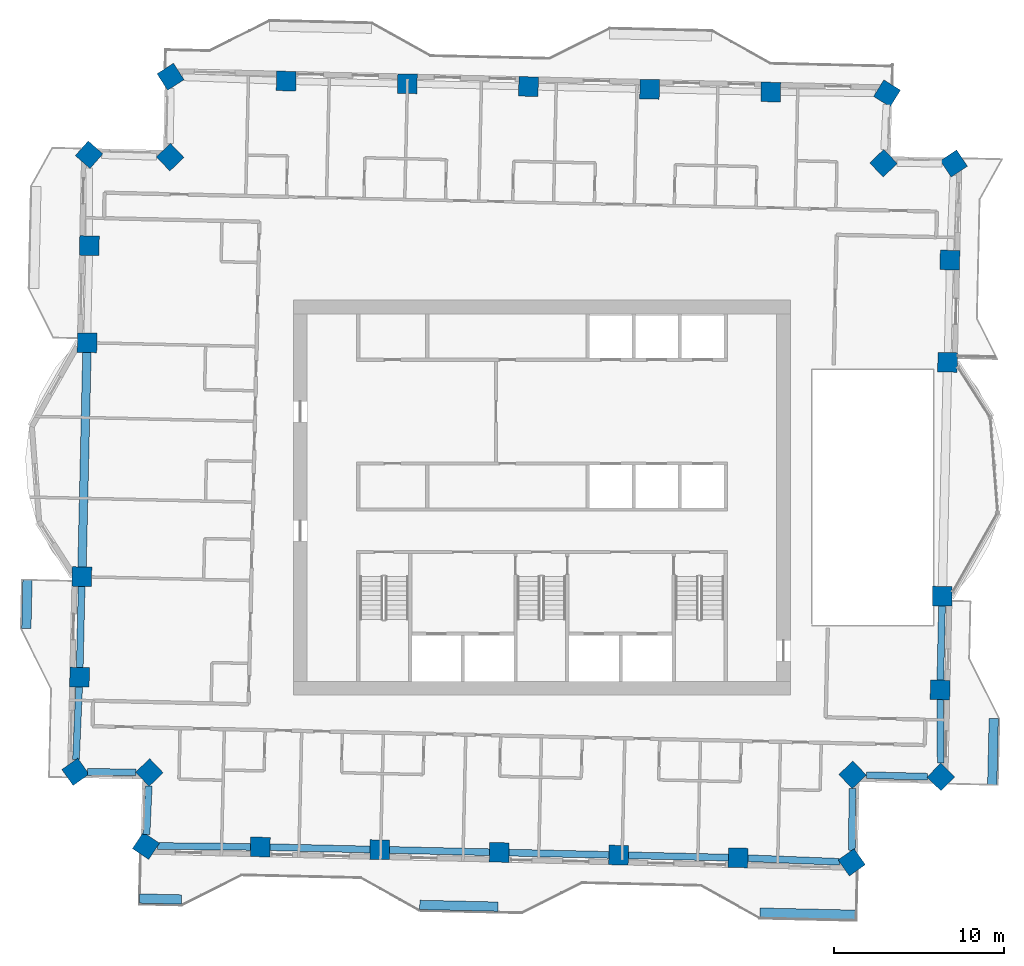
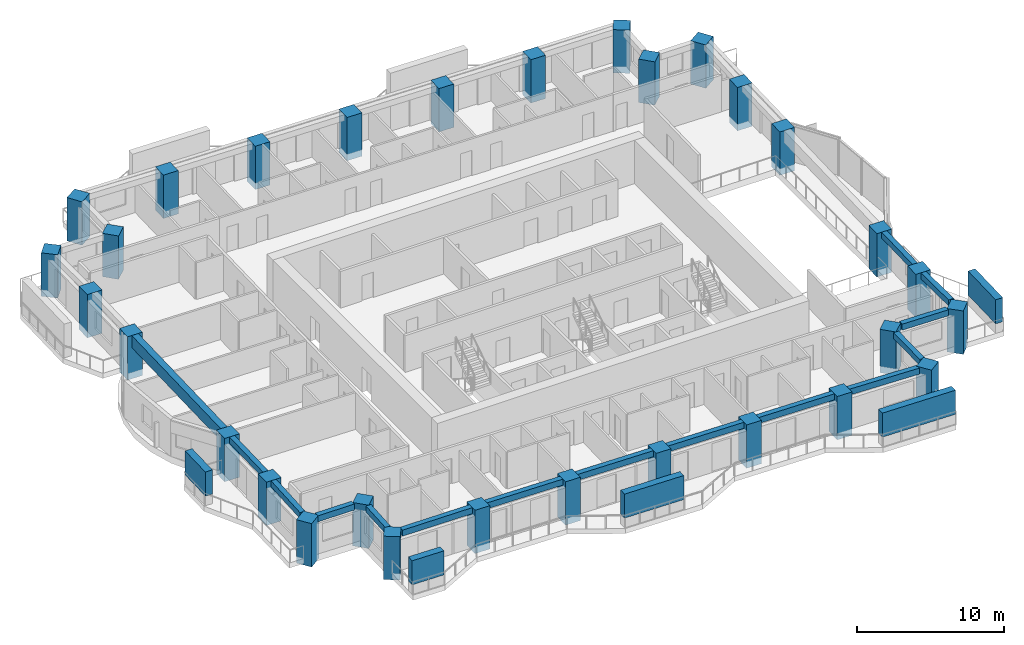
# One storey, part 1 of 16: 30 columns, 15 beams, 5 members.
"""IFC4 building model written with IfcOpenShell, lengths in metres."""

from ifc_helpers import new_model, si_unit, direction, frame, origin, origin_2d, place, context, subcontext, project, spatial, rectangle, extrude, material, material_profile, profile_set, type_object, element, save


model = new_model("IFC4")

# Units and contexts
model_context = context("Model", 3, precision=1e-05, world=origin(), true_north=direction((0.0, 1.0)))
body_context = subcontext(model_context, "Body", "Model", "MODEL_VIEW")
ifc_project = project(units=[si_unit("LENGTHUNIT", "METRE"), si_unit("AREAUNIT", "SQUARE_METRE"), si_unit("VOLUMEUNIT", "CUBIC_METRE"), si_unit("PLANEANGLEUNIT", "RADIAN"), si_unit("MASSUNIT", "GRAM", prefix="KILO")], contexts=[model_context])

# Site, building, storey
site_placement = place(None, origin())
site = spatial("IfcSite", under=ifc_project, at=site_placement, CompositionType="ELEMENT")
building_placement = place(site_placement, origin())
building = spatial("IfcBuilding", under=site, at=building_placement, Name="Mangrove Gate Tower", CompositionType="ELEMENT")
storey_placement = place(building_placement, frame((0.0, 0.0, 201.5)))
storey = spatial("IfcBuildingStorey", under=building, at=storey_placement, Name="L51", CompositionType="ELEMENT", Elevation=201.5)

# Columns
ifc_material_1 = material(Name="Concrete C60/75", Category="concrete")
ifc_material_profile_1 = material_profile(ifc_material_1, rectangle(XDim=1.14990234375, YDim=1.14990234375, at=origin_2d()))
ifc_profile_set_1 = profile_set([ifc_material_profile_1], Name="Concrete C60/75")
column_type = type_object("IfcColumnType", Name="Column RC 1150x1150 C60/75", PredefinedType="COLUMN", material=ifc_profile_set_1)
for number, where, z_axis, x_axis, name in (
    (1, (-27.046142578125, -4.650146484375, -0.550048828125), (0.0, 0.0, 1.0), (-0.02268213383, -0.999742727308, 0.0), "Column L51 W05"),
    (2, (-27.18017578125, -10.56005859375, -0.550048828125), (0.0, 0.0, 1.0), (-0.022750219004, -0.999741180274, 0.0), "Column L51 W06"),
    (3, (-27.4208984375, -16.125244140625, -0.550048828125), (0.0, 0.0, 1.0), (0.578578159923, -0.815626944663, 0.0), "Column L51 W07"),
    (4, (-23.0751953125, -16.16064453125, -0.550048828125), (0.0, 0.0, 1.0), (0.690854032309, -0.722994264183, 0.0), "Column L51 W08"),
    (5, (-23.27490234375, -20.476806640625, -0.550048828125), (0.0, 0.0, 1.0), (0.835228982997, -0.549902305834, 0.0), "Column L51 S01"),
    (6, (-16.554931640625, -20.541259765625, -0.550048828125), (0.0, 0.0, 1.0), (0.999742166043, -0.022706858776, 0.0), "Column L51 S02"),
    (7, (-9.532958984375, -20.701171875, -0.550048828125), (0.0, 0.0, 1.0), (0.999742129581, -0.022708464065, 0.0), "Column L51 S03"),
    (8, (-2.510986328125, -20.860107421875, -0.550048828125), (0.0, 0.0, 1.0), (0.999743742918, -0.022637325283, 0.0), "Column L51 S04"),
    (9, (4.510986328125, -21.01904296875, -0.550048828125), (0.0, 0.0, 1.0), (0.999742129581, -0.022708464065, 0.0), "Column L51 S05"),
    (10, (11.532958984375, -21.17919921875, -0.550048828125), (0.0, 0.0, 1.0), (0.999742166043, -0.022706858776, 0.0), "Column L51 S06"),
    (11, (18.21142578125, -21.443115234375, -0.550048828125), (0.0, 0.0, 1.0), (0.817005906944, 0.576629298612, 0.0), "Column L51 S07"),
    (12, (18.263671875, -16.29833984375, -0.550048828125), (0.0, 0.0, 1.0), (0.722904645442, 0.690947808158, 0.0), "Column L51 E01"),
    (13, (23.44970703125, -16.427978515625, -0.550048828125), (0.0, 0.0, 1.0), (0.702472771276, 0.711710619294, 0.0), "Column L51 E02"),
    (14, (23.4091796875, -11.307861328125, -0.550048828125), (0.0, 0.0, 1.0), (0.022678138054, 0.999742817956, 0.0), "Column L51 E03"),
    (15, (23.5341796875, -5.7978515625, -0.550048828125), (0.0, 0.0, 1.0), (0.022686024913, 0.999742639019, 0.0), "Column L51 E04"),
    (16, (23.84619140625, 7.949951171875, -0.550048828125), (0.0, 0.0, 1.0), (0.022719107826, 0.999741887759, 0.0), "Column L51 E05"),
    (17, (23.983154296875, 13.9599609375, -0.550048828125), (0.0, 0.0, 1.0), (0.022704398496, 0.99974222192, 0.0), "Column L51 E06"),
    (18, (24.21533203125, 19.639404296875, -0.550048828125), (0.0, 0.0, 1.0), (-0.553976303186, 0.832532435109, 0.0), "Column L51 E07"),
    (19, (20.079345703125, 19.65576171875, -0.550048828125), (0.0, 0.0, 1.0), (-0.69093208713, 0.722919671176, 0.0), "Column L51 E08"),
    (20, (20.286865234375, 23.763427734375, -0.550048828125), (0.0, 0.0, 1.0), (-0.849671924518, 0.527311692157, 0.0), "Column L51 N01"),
    (21, (13.454833984375, 23.839111328125, -0.550048828125), (0.0, 0.0, 1.0), (-0.999741400599, 0.022740534932, 0.0), "Column L51 N02"),
    (22, (6.3330078125, 24.001220703125, -0.550048828125), (0.0, 0.0, 1.0), (-0.999742993665, 0.022670390785, 0.0), "Column L51 N03"),
    (23, (-0.7890625, 24.162109375, -0.550048828125), (0.0, 0.0, 1.0), (-0.999742993665, 0.022670390785, 0.0), "Column L51 N04"),
    (24, (-7.9111328125, 24.32421875, -0.550048828125), (0.0, 0.0, 1.0), (-0.999742993665, 0.022670390785, 0.0), "Column L51 N05"),
    (25, (-15.032958984375, 24.485107421875, -0.550048828125), (0.0, 0.0, 1.0), (-0.999742993665, 0.022670390785, 0.0), "Column L51 N06"),
    (26, (-21.83154296875, 24.738037109375, -0.550048828125), (0.0, 0.0, 1.0), (-0.841786903105, -0.539809975603, 0.0), "Column L51 N07"),
    (27, (-21.853759765625, 20.00732421875, -0.550048828125), (0.0, 0.0, 1.0), (-0.722980880026, -0.690868038859, 0.0), "Column L51 W01"),
    (28, (-26.618408203125, 20.152099609375, -0.550048828125), (0.0, 0.0, 1.0), (-0.660570488369, -0.750764030769, 0.0), "Column L51 W02"),
    (29, (-26.605224609375, 14.807861328125, -0.550048828125), (0.0, 0.0, 1.0), (-0.022671699445, -0.999742963988, 0.0), "Column L51 W03"),
    (30, (-26.734130859375, 9.097900390625, -0.550048828125), (0.0, 0.0, 1.0), (-0.022658386004, -0.999743265816, 0.0), "Column L51 W04"),
):
    element("IfcColumn", number, at=place(storey_placement, frame(where, z_axis=z_axis, x_axis=x_axis)), inside=storey, type_object=column_type, Name=name, PredefinedType="COLUMN", context=body_context, shape_type="SweptSolid", body=[
        extrude(rectangle(XDim=1.14990234375, YDim=1.14990234375, at=origin_2d()), origin(), (0.0, 0.0, 1.0), 3.60009765625),
    ])

# Members
ifc_material_2 = material(Name="Planting on aluminium trellis", Category="aluminium")
ifc_material_profile_2 = material_profile(ifc_material_2, rectangle(XDim=0.550048828125, YDim=2.0, at=origin_2d()))
ifc_profile_set_2 = profile_set([ifc_material_profile_2], Name="Planting on aluminium trellis")
member_type = type_object("IfcMemberType", Name="Balcony greenery screen 550x2000", PredefinedType="USERDEFINED", material=ifc_profile_set_2)
member_1_placement = place(storey_placement, frame((26.47412109375, -16.89208984375, 1.800048828125), z_axis=(0.022535131088, 0.999746051689, 0.0), x_axis=(-0.999746051689, 0.022535131088, 0.0)))
element("IfcMember", 31, at=member_1_placement, inside=storey, type_object=member_type, Name="GREEN SCREEN L51 E0.1", ObjectType="PLANTING", PredefinedType="USERDEFINED", context=body_context, shape_type="SweptSolid", body=[
    extrude(rectangle(XDim=0.550048828125, YDim=2.0, at=origin_2d()), origin(), (0.0, 0.0, 1.0), 3.900146484375),
])
member_2_placement = place(storey_placement, frame((-30.306884765625, -7.700927734375, 1.800048828125), z_axis=(0.022929749512, 0.99973707873, 0.0), x_axis=(-0.99973707873, 0.022929749512, 0.0)))
element("IfcMember", 32, at=member_2_placement, inside=storey, type_object=member_type, Name="GREEN SCREEN L51 W1.1", ObjectType="PLANTING", PredefinedType="USERDEFINED", context=body_context, shape_type="SweptSolid", body=[
    extrude(rectangle(XDim=0.550048828125, YDim=2.0, at=origin_2d()), origin(), (0.0, 0.0, 1.0), 2.874755859375),
])
member_3_placement = place(storey_placement, frame((-23.64990234375, -23.571044921875, 1.800048828125), z_axis=(0.999744125264, -0.022620433227, 0.0), x_axis=(0.022620433227, 0.999744125264, 0.0)))
element("IfcMember", 33, at=member_3_placement, inside=storey, type_object=member_type, Name="GREEN SCREEN L51 S0.1", ObjectType="PLANTING", PredefinedType="USERDEFINED", context=body_context, shape_type="SweptSolid", body=[
    extrude(rectangle(XDim=0.550048828125, YDim=2.0, at=origin_2d()), origin(), (0.0, 0.0, 1.0), 2.4716796875),
])
member_4_placement = place(storey_placement, frame((-7.181884765625, -23.945068359375, 1.800048828125), z_axis=(0.999744268886, -0.022614084774, 0.0), x_axis=(0.022614084774, 0.999744268886, 0.0)))
element("IfcMember", 34, at=member_4_placement, inside=storey, type_object=member_type, Name="GREEN SCREEN L51 S0.2", ObjectType="PLANTING", PredefinedType="USERDEFINED", context=body_context, shape_type="SweptSolid", body=[
    extrude(rectangle(XDim=0.550048828125, YDim=2.0, at=origin_2d()), origin(), (0.0, 0.0, 1.0), 4.59912109375),
])
member_5_placement = place(storey_placement, frame((12.81201171875, -24.39892578125, 1.800048828125), z_axis=(0.999744671896, -0.022596261096, 0.0), x_axis=(0.022596261096, 0.999744671896, 0.0)))
element("IfcMember", 35, at=member_5_placement, inside=storey, type_object=member_type, Name="GREEN SCREEN L51 S1.1", ObjectType="PLANTING", PredefinedType="USERDEFINED", context=body_context, shape_type="SweptSolid", body=[
    extrude(rectangle(XDim=0.550048828125, YDim=2.0, at=origin_2d()), origin(), (0.0, 0.0, 1.0), 5.67236328125),
])

# Beams
ifc_material_3 = material(Name="Concrete C50/60", Category="concrete")
ifc_material_profile_3 = material_profile(ifc_material_3, rectangle(XDim=0.39990234375, YDim=0.5, at=origin_2d()))
ifc_profile_set_3 = profile_set([ifc_material_profile_3], Name="Concrete C50/60")
beam_type_1 = type_object("IfcBeamType", Name="Edge beam RC 400x500 C50/60", PredefinedType="BEAM", material=ifc_profile_set_3)
beam_1_placement = place(storey_placement, frame((-27.05908203125, -5.224853515625, 2.800048828125), z_axis=(-0.022714417043, -0.999741994346, 0.0), x_axis=(0.999741994346, -0.022714417043, 0.0)))
element("IfcBeam", 36, at=beam_1_placement, inside=storey, type_object=beam_type_1, Name="Edge beam L51 00", PredefinedType="BEAM", context=body_context, shape_type="SweptSolid", body=[
    extrude(rectangle(XDim=0.39990234375, YDim=0.5, at=origin_2d()), origin(), (0.0, 0.0, 1.0), 4.761474609375),
])
beam_2_placement = place(storey_placement, frame((-27.205078125, -11.134765625, 2.800048828125), z_axis=(-0.043253492275, -0.999064129776, 0.0), x_axis=(0.999064129776, -0.043253492275, 0.0)))
element("IfcBeam", 37, at=beam_2_placement, inside=storey, type_object=beam_type_1, Name="Edge beam L51 01", PredefinedType="BEAM", context=body_context, shape_type="SweptSolid", body=[
    extrude(rectangle(XDim=0.39990234375, YDim=0.5, at=origin_2d()), origin(), (0.0, 0.0, 1.0), 4.26708984375),
])
beam_3_placement = place(storey_placement, frame((-26.7119140625, -16.131103515625, 2.800048828125), z_axis=(0.999966541492, -0.008180213678, 0.0), x_axis=(0.008180213678, 0.999966541492, 0.0)))
element("IfcBeam", 38, at=beam_3_placement, inside=storey, type_object=beam_type_1, Name="Edge beam L51 02", PredefinedType="BEAM", context=body_context, shape_type="SweptSolid", body=[
    extrude(rectangle(XDim=0.39990234375, YDim=0.5, at=origin_2d()), origin(), (0.0, 0.0, 1.0), 2.835205078125),
])
beam_4_placement = place(storey_placement, frame((-23.112060546875, -16.95458984375, 2.800048828125), z_axis=(-0.046144122159, -0.998934792662, 0.0), x_axis=(0.998934792662, -0.046144122159, 0.0)))
element("IfcBeam", 39, at=beam_4_placement, inside=storey, type_object=beam_type_1, Name="Edge beam L51 03", PredefinedType="BEAM", context=body_context, shape_type="SweptSolid", body=[
    extrude(rectangle(XDim=0.39990234375, YDim=0.5, at=origin_2d()), origin(), (0.0, 0.0, 1.0), 2.85693359375),
])
beam_5_placement = place(storey_placement, frame((-22.590576171875, -20.4833984375, 2.800048828125), z_axis=(0.99995423302, -0.009567228769, 0.0), x_axis=(0.009567228769, 0.99995423302, 0.0)))
element("IfcBeam", 40, at=beam_5_placement, inside=storey, type_object=beam_type_1, Name="Edge beam L51 04", PredefinedType="BEAM", context=body_context, shape_type="SweptSolid", body=[
    extrude(rectangle(XDim=0.39990234375, YDim=0.5, at=origin_2d()), origin(), (0.0, 0.0, 1.0), 5.4609375),
])
for number, where, z_axis, x_axis, name in (
    (41, (-15.97998046875, -20.55419921875, 2.800048828125), (0.999740546409, -0.022778056687, 0.0), (0.022778056687, 0.999740546409, 0.0), "Edge beam L51 05"),
    (42, (-8.9580078125, -20.714111328125, 2.800048828125), (0.999743378275, -0.022653423464, 0.0), (0.022653423464, 0.999743378275, 0.0), "Edge beam L51 06"),
):
    element("IfcBeam", number, at=place(storey_placement, frame(where, z_axis=z_axis, x_axis=x_axis)), inside=storey, type_object=beam_type_1, Name=name, PredefinedType="BEAM", context=body_context, shape_type="SweptSolid", body=[
        extrude(rectangle(XDim=0.39990234375, YDim=0.5, at=origin_2d()), origin(), (0.0, 0.0, 1.0), 5.87353515625),
    ])
for number, where, z_axis, x_axis, name in (
    (43, (-1.93603515625, -20.873046875, 2.800048828125), (0.999743399605, -0.022652482135, 0.0), (0.022652482135, 0.999743399605, 0.0), "Edge beam L51 07"),
    (44, (5.0859375, -21.0322265625, 2.800048828125), (0.999740567973, -0.022777110184, 0.0), (0.022777110184, 0.999740567973, 0.0), "Edge beam L51 08"),
):
    element("IfcBeam", number, at=place(storey_placement, frame(where, z_axis=z_axis, x_axis=x_axis)), inside=storey, type_object=beam_type_1, Name=name, PredefinedType="BEAM", context=body_context, shape_type="SweptSolid", body=[
        extrude(rectangle(XDim=0.39990234375, YDim=0.5, at=origin_2d()), origin(), (0.0, 0.0, 1.0), 5.873779296875),
    ])
beam_6_placement = place(storey_placement, frame((12.107666015625, -21.201904296875, 2.800048828125), z_axis=(0.999219752708, -0.039495389572, 0.0), x_axis=(0.039495389572, 0.999219752708, 0.0)))
element("IfcBeam", 45, at=beam_6_placement, inside=storey, type_object=beam_type_1, Name="Edge beam L51 09", PredefinedType="BEAM", context=body_context, shape_type="SweptSolid", body=[
    extrude(rectangle(XDim=0.39990234375, YDim=0.5, at=origin_2d()), origin(), (0.0, 0.0, 1.0), 5.384033203125),
])
beam_7_placement = place(storey_placement, frame((18.21875, -20.734375, 2.800048828125), z_axis=(0.010147326996, 0.999948514552, 0.0), x_axis=(-0.999948514552, 0.010147326996, 0.0)))
element("IfcBeam", 46, at=beam_7_placement, inside=storey, type_object=beam_type_1, Name="Edge beam L51 10", PredefinedType="BEAM", context=body_context, shape_type="SweptSolid", body=[
    extrude(rectangle(XDim=0.39990234375, YDim=0.5, at=origin_2d()), origin(), (0.0, 0.0, 1.0), 3.633056640625),
])
beam_8_placement = place(storey_placement, frame((19.07470703125, -16.318603515625, 2.800048828125), z_axis=(0.999686412601, -0.025041494782, 0.0), x_axis=(0.025041494782, 0.999686412601, 0.0)))
element("IfcBeam", 47, at=beam_8_placement, inside=storey, type_object=beam_type_1, Name="Edge beam L51 11", PredefinedType="BEAM", context=body_context, shape_type="SweptSolid", body=[
    extrude(rectangle(XDim=0.39990234375, YDim=0.5, at=origin_2d()), origin(), (0.0, 0.0, 1.0), 3.587890625),
])
beam_9_placement = place(storey_placement, frame((23.443359375, -15.615966796875, 2.800048828125), z_axis=(-0.007913938832, 0.999968684296, 0.0), x_axis=(-0.999968684296, -0.007913938832, 0.0)))
element("IfcBeam", 48, at=beam_9_placement, inside=storey, type_object=beam_type_1, Name="Edge beam L51 12", PredefinedType="BEAM", context=body_context, shape_type="SweptSolid", body=[
    extrude(rectangle(XDim=0.39990234375, YDim=0.5, at=origin_2d()), origin(), (0.0, 0.0, 1.0), 3.732666015625),
])
beam_10_placement = place(storey_placement, frame((23.422119140625, -10.733154296875, 2.800048828125), z_axis=(0.022670543731, 0.999742990196, 0.0), x_axis=(-0.999742990196, 0.022670543731, 0.0)))
element("IfcBeam", 49, at=beam_10_placement, inside=storey, type_object=beam_type_1, Name="Edge beam L51 13", PredefinedType="BEAM", context=body_context, shape_type="SweptSolid", body=[
    extrude(rectangle(XDim=0.39990234375, YDim=0.5, at=origin_2d()), origin(), (0.0, 0.0, 1.0), 4.361572265625),
])
ifc_material_4 = material(Name="Concrete C50/60", Category="concrete")
ifc_material_profile_4 = material_profile(ifc_material_4, rectangle(XDim=0.5, YDim=1.0, at=origin_2d()))
ifc_profile_set_4 = profile_set([ifc_material_profile_4], Name="Concrete C50/60")
beam_type_2 = type_object("IfcBeamType", Name="Edge beam RC 500x1000 C50/60", PredefinedType="BEAM", material=ifc_profile_set_4)
beam_11_placement = place(storey_placement, frame((-26.747314453125, 8.523193359375, 2.550048828125), z_axis=(-0.022686638645, -0.999742625093, 0.0), x_axis=(0.999742625093, -0.022686638645, 0.0)))
element("IfcBeam", 50, at=beam_11_placement, inside=storey, type_object=beam_type_2, Name="Edge beam L51 29", PredefinedType="BEAM", context=body_context, shape_type="SweptSolid", body=[
    extrude(rectangle(XDim=0.5, YDim=1.0, at=origin_2d()), origin(), (0.0, 0.0, 1.0), 12.6015625),
])

save(model, "model.ifc")
